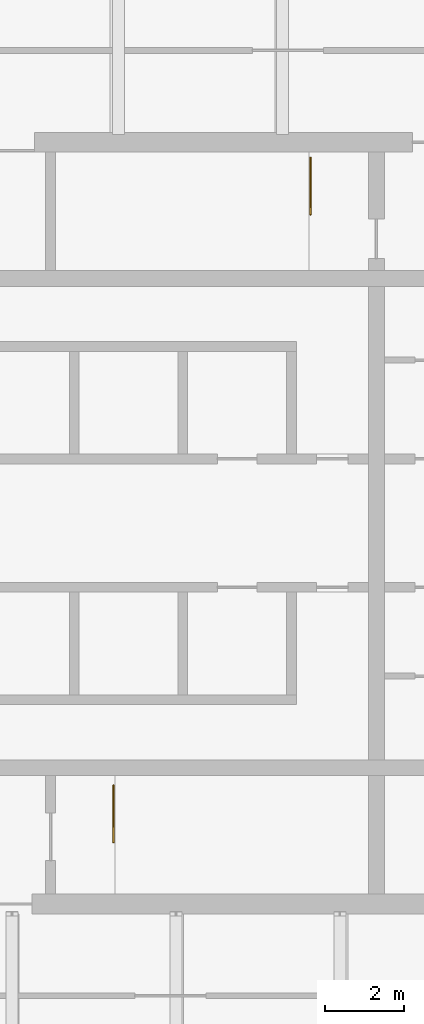
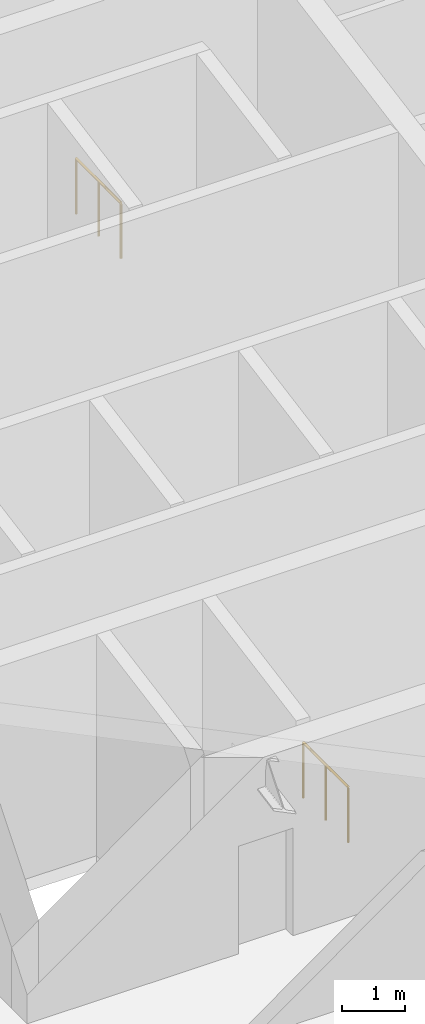
# One storey, part 5 of 5: 2 railings.
"""IFC4 building model written with IfcOpenShell, lengths in metres."""

from ifc_helpers import new_model, si_unit, direction, frame, origin, origin_2d, place, context, subcontext, project, spatial, circle, extrude, material, type_object, element, save


model = new_model("IFC4")

# Units and contexts
model_context = context("Model", 3, precision=1e-05, world=origin(), true_north=direction((0.0, 1.0)))
body_context = subcontext(model_context, "Body", "Model", "MODEL_VIEW")
ifc_project = project(units=[si_unit("LENGTHUNIT", "METRE"), si_unit("AREAUNIT", "SQUARE_METRE"), si_unit("VOLUMEUNIT", "CUBIC_METRE"), si_unit("PLANEANGLEUNIT", "RADIAN"), si_unit("MASSUNIT", "GRAM", prefix="KILO")], contexts=[model_context])

# Site, building, storey
site_placement = place(None, origin())
site = spatial("IfcSite", under=ifc_project, at=site_placement, CompositionType="ELEMENT")
building_placement = place(site_placement, origin())
building = spatial("IfcBuilding", under=site, at=building_placement, Name="Ostroluk Exchange", CompositionType="ELEMENT")
storey_placement = place(building_placement, frame((0.0, 0.0, 290.800048828125)))
storey = spatial("IfcBuildingStorey", under=building, at=storey_placement, Name="L75", CompositionType="ELEMENT", Elevation=290.800048828125)

# Railings
ifc_material = material(Name="Steel S355", Category="steel")
railing_type = type_object("IfcRailingType", Name="Stair guard 1100", PredefinedType="GUARDRAIL", material=ifc_material)
railing_1_placement = place(storey_placement, frame((42.070068359375, 39.35009765625, 0.0)))
element("IfcRailing", 1, at=railing_1_placement, inside=storey, type_object=railing_type, Name="Stair T1-S1 well guard L75", PredefinedType="GUARDRAIL", context=body_context, shape_type="SweptSolid", body=[
    extrude(circle(Radius=0.02392578125, at=origin_2d()), frame((0.0, 0.0, 1.076171875), z_axis=(0.0, -1.0, 0.0), x_axis=(1.0, 0.0, 0.0)), (0.0, 0.0, 1.0), 1.43017578125),
    extrude(circle(Radius=0.02099609375, at=origin_2d()), origin(), (0.0, 0.0, 1.0), 1.052001953125),
    extrude(circle(Radius=0.02099609375, at=origin_2d()), frame((0.0, -0.715087890625, 0.0)), (0.0, 0.0, 1.0), 1.052001953125),
    extrude(circle(Radius=0.02099609375, at=origin_2d()), frame((0.0, -1.43017578125, 0.0)), (0.0, 0.0, 1.0), 1.052001953125),
])
railing_2_placement = place(storey_placement, frame((47.06005859375, 55.25, 0.0)))
element("IfcRailing", 2, at=railing_2_placement, inside=storey, type_object=railing_type, Name="Stair T1-S2 well guard L75", PredefinedType="GUARDRAIL", context=body_context, shape_type="SweptSolid", body=[
    extrude(circle(Radius=0.02392578125, at=origin_2d()), frame((0.0, 0.0, 1.076171875), z_axis=(0.0, -1.0, 0.0), x_axis=(1.0, 0.0, 0.0)), (0.0, 0.0, 1.0), 1.429931640625),
    extrude(circle(Radius=0.02099609375, at=origin_2d()), origin(), (0.0, 0.0, 1.0), 1.052001953125),
    extrude(circle(Radius=0.02099609375, at=origin_2d()), frame((0.0, -0.71484375, 0.0)), (0.0, 0.0, 1.0), 1.052001953125),
    extrude(circle(Radius=0.02099609375, at=origin_2d()), frame((0.0, -1.429931640625, 0.0)), (0.0, 0.0, 1.0), 1.052001953125),
])

save(model, "model.ifc")
